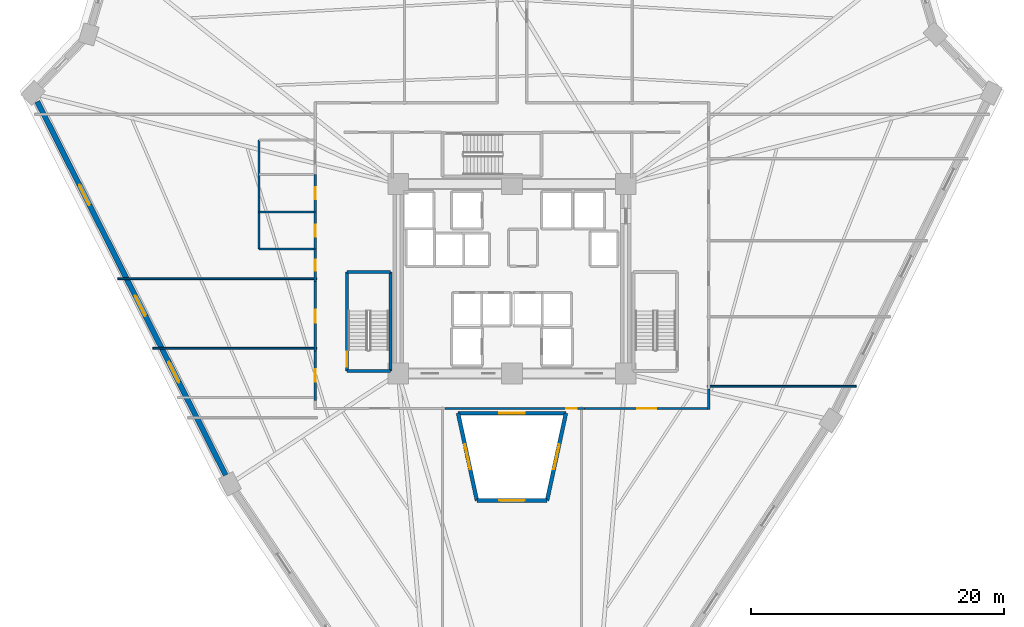
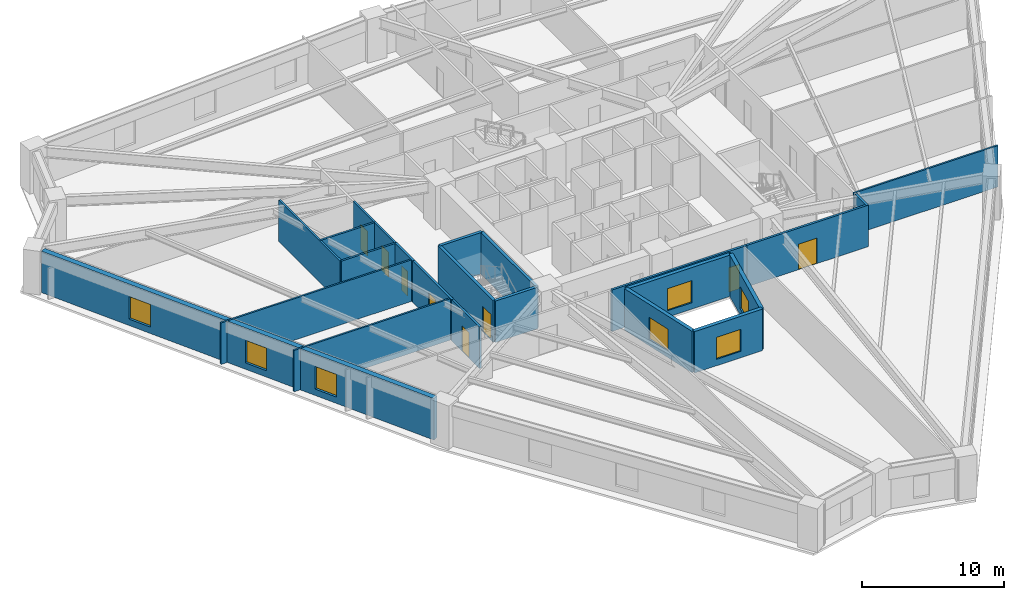
# One storey, part 3 of 8: 23 walls, 8 doors, 7 windows, 15 openings.
"""IFC4 building model written with IfcOpenShell, lengths in metres."""

from ifc_helpers import new_model, si_unit, direction, frame, frame_2d, origin, place, context, subcontext, project, spatial, rectangle, extrude, source, transform, mapped, material, layer, layer_set, type_object, element, fill, save


model = new_model("IFC4")

# Units and contexts
model_context = context("Model", 3, precision=1e-05, world=origin(), true_north=direction((0.0, 1.0)))
body_context = subcontext(model_context, "Body", "Model", "MODEL_VIEW")
ifc_project = project(units=[si_unit("LENGTHUNIT", "METRE"), si_unit("AREAUNIT", "SQUARE_METRE"), si_unit("VOLUMEUNIT", "CUBIC_METRE"), si_unit("PLANEANGLEUNIT", "RADIAN"), si_unit("MASSUNIT", "GRAM", prefix="KILO")], contexts=[model_context])

# Site, building, storey
site_placement = place(None, origin())
site = spatial("IfcSite", under=ifc_project, at=site_placement, CompositionType="ELEMENT")
building_placement = place(site_placement, origin())
building = spatial("IfcBuilding", under=site, at=building_placement, Name="Liaohun Quay Tower", CompositionType="ELEMENT")
storey_placement = place(building_placement, frame((0.0, 0.0, 81.75)))
storey = spatial("IfcBuildingStorey", under=building, at=storey_placement, Name="L21", CompositionType="ELEMENT", Elevation=81.75)

# Wall, opening, window
ifc_material_1 = material(Name="Concrete C50", Category="concrete")
ifc_layer_1 = layer(ifc_material_1, 0.300048828125, Name="Concrete C50", Category="concrete")
ifc_layer_set_1 = layer_set([ifc_layer_1], Name="Concrete C50")
wall_type_1 = type_object("IfcWallType", Name="WAL-ATR-300", PredefinedType="SOLIDWALL", material=ifc_layer_set_1)
wall_1_placement = place(storey_placement, frame((57.22607421875, 36.4609375, 0.0), z_axis=(0.0, 0.0, 1.0), x_axis=(-0.211368462484, 0.977406452336, 0.0)))
wall_1 = element("IfcWall", 1, at=wall_1_placement, inside=storey, type_object=wall_type_1, Name="L21 Atrium Fire Compartment Wall 1", PredefinedType="SOLIDWALL", context=body_context, shape_type="SweptSolid", body=[
    extrude(rectangle(XDim=7.06884765625, YDim=0.300048828125, at=frame_2d((3.534423828125, 0.0))), origin(), (0.0, 0.0, 1.0), 3.570068359375),
])
shared_shape_1 = source(origin(), body_context, "Body", "SweptSolid", [
    extrude(rectangle(XDim=2.0, YDim=1.89990234375, at=frame_2d((1.0, 0.949951171875))), frame((0.0, 0.159912109375, 0.0), z_axis=(0.0, -1.0, 0.0), x_axis=(1.0, 0.0, 0.0)), (0.0, 0.0, 1.0), 0.320068359375),
])
opening_1_placement = place(wall_1_placement, frame((2.533935546875, 0.0, 0.550048828125)))
opening_1 = element("IfcOpeningElement", 2, at=opening_1_placement, cuts=wall_1, Name="Opening W07", PredefinedType="OPENING", context=body_context, shape_type="MappedRepresentation", body=[
    mapped(shared_shape_1, transform((0.0, 0.0, 0.0), x_axis=(1.0, 0.0, 0.0), y_axis=(0.0, 1.0, 0.0), z_axis=(0.0, 0.0, 1.0), scale=1.0)),
])
ifc_material_2 = material(Name="Class A 180-min fire-resistant insulated glazing", Category="glass")
window_type_1 = type_object("IfcWindowType", Name="WIN-ATR-FIR", PartitioningType="DOUBLE_PANEL_VERTICAL", PredefinedType="WINDOW", material=ifc_material_2)
shared_shape_2 = source(origin(), body_context, "Body", "SweptSolid", [
    extrude(rectangle(XDim=2.0, YDim=1.89990234375, at=frame_2d((1.0, 0.949951171875))), frame((0.0, 0.030029296875, 0.0), z_axis=(0.0, -1.0, 0.0), x_axis=(1.0, 0.0, 0.0)), (0.0, 0.0, 1.0), 0.06005859375),
])
window_1_placement = place(opening_1_placement, origin())
window_1 = element("IfcWindow", 3, at=window_1_placement, inside=storey, type_object=window_type_1, Name="L21 Atrium Fire-Resistant Glazing W07-1", OverallHeight=1.89990234375, OverallWidth=2.0, PartitioningType="DOUBLE_PANEL_VERTICAL", PredefinedType="WINDOW", context=body_context, shape_type="MappedRepresentation", body=[
    mapped(shared_shape_2, transform((0.0, 0.0, 0.0), x_axis=(1.0, 0.0, 0.0), y_axis=(0.0, 1.0, 0.0), z_axis=(0.0, 0.0, 1.0), scale=1.0)),
])
fill(opening_1, window_1)

wall_2_placement = place(storey_placement, frame((55.73193359375, 43.3701171875, 0.0), z_axis=(0.0, 0.0, 1.0), x_axis=(1.0, 0.0, 0.0)))
wall_2 = element("IfcWall", 4, at=wall_2_placement, inside=storey, type_object=wall_type_1, Name="L21 Atrium Fire Compartment Wall 2", PredefinedType="SOLIDWALL", context=body_context, shape_type="SweptSolid", body=[
    extrude(rectangle(XDim=8.5361328125, YDim=0.300048828125, at=frame_2d((4.26806640625, 0.0))), origin(), (0.0, 0.0, 1.0), 3.570068359375),
])
opening_2_placement = place(wall_2_placement, frame((3.26806640625, 0.0, 0.550048828125)))
opening_2 = element("IfcOpeningElement", 5, at=opening_2_placement, cuts=wall_2, Name="Opening W07", PredefinedType="OPENING", context=body_context, shape_type="MappedRepresentation", body=[
    mapped(shared_shape_1, transform((0.0, 0.0, 0.0), x_axis=(1.0, 0.0, 0.0), y_axis=(0.0, 1.0, 0.0), z_axis=(0.0, 0.0, 1.0), scale=1.0)),
])
window_2_placement = place(opening_2_placement, origin())
window_2 = element("IfcWindow", 6, at=window_2_placement, inside=storey, type_object=window_type_1, Name="L21 Atrium Fire-Resistant Glazing W07-2", OverallHeight=1.89990234375, OverallWidth=2.0, PartitioningType="DOUBLE_PANEL_VERTICAL", PredefinedType="WINDOW", context=body_context, shape_type="MappedRepresentation", body=[
    mapped(shared_shape_2, transform((0.0, 0.0, 0.0), x_axis=(1.0, 0.0, 0.0), y_axis=(0.0, 1.0, 0.0), z_axis=(0.0, 0.0, 1.0), scale=1.0)),
])
fill(opening_2, window_2)

wall_3_placement = place(storey_placement, frame((64.26806640625, 43.3701171875, 0.0), z_axis=(0.0, 0.0, 1.0), x_axis=(-0.211368462484, -0.977406452336, 0.0)))
wall_3 = element("IfcWall", 7, at=wall_3_placement, inside=storey, type_object=wall_type_1, Name="L21 Atrium Fire Compartment Wall 3", PredefinedType="SOLIDWALL", context=body_context, shape_type="SweptSolid", body=[
    extrude(rectangle(XDim=7.06884765625, YDim=0.300048828125, at=frame_2d((3.534423828125, 0.0))), origin(), (0.0, 0.0, 1.0), 3.570068359375),
])
opening_3_placement = place(wall_3_placement, frame((2.533935546875, 0.0, 0.550048828125)))
opening_3 = element("IfcOpeningElement", 8, at=opening_3_placement, cuts=wall_3, Name="Opening W07", PredefinedType="OPENING", context=body_context, shape_type="MappedRepresentation", body=[
    mapped(shared_shape_1, transform((0.0, 0.0, 0.0), x_axis=(1.0, 0.0, 0.0), y_axis=(0.0, 1.0, 0.0), z_axis=(0.0, 0.0, 1.0), scale=1.0)),
])
window_3_placement = place(opening_3_placement, origin())
window_3 = element("IfcWindow", 9, at=window_3_placement, inside=storey, type_object=window_type_1, Name="L21 Atrium Fire-Resistant Glazing W07-3", OverallHeight=1.89990234375, OverallWidth=2.0, PartitioningType="DOUBLE_PANEL_VERTICAL", PredefinedType="WINDOW", context=body_context, shape_type="MappedRepresentation", body=[
    mapped(shared_shape_2, transform((0.0, 0.0, 0.0), x_axis=(1.0, 0.0, 0.0), y_axis=(0.0, 1.0, 0.0), z_axis=(0.0, 0.0, 1.0), scale=1.0)),
])
fill(opening_3, window_3)

wall_4_placement = place(storey_placement, frame((62.77392578125, 36.4609375, 0.0), z_axis=(0.0, 0.0, 1.0), x_axis=(-1.0, 0.0, 0.0)))
wall_4 = element("IfcWall", 10, at=wall_4_placement, inside=storey, type_object=wall_type_1, Name="L21 Atrium Fire Compartment Wall 4", PredefinedType="SOLIDWALL", context=body_context, shape_type="SweptSolid", body=[
    extrude(rectangle(XDim=5.5478515625, YDim=0.300048828125, at=frame_2d((2.77392578125, 0.0))), origin(), (0.0, 0.0, 1.0), 3.570068359375),
])
opening_4_placement = place(wall_4_placement, frame((1.77392578125, 0.0, 0.550048828125)))
opening_4 = element("IfcOpeningElement", 11, at=opening_4_placement, cuts=wall_4, Name="Opening W07", PredefinedType="OPENING", context=body_context, shape_type="MappedRepresentation", body=[
    mapped(shared_shape_1, transform((0.0, 0.0, 0.0), x_axis=(1.0, 0.0, 0.0), y_axis=(0.0, 1.0, 0.0), z_axis=(0.0, 0.0, 1.0), scale=1.0)),
])
window_4_placement = place(opening_4_placement, origin())
window_4 = element("IfcWindow", 12, at=window_4_placement, inside=storey, type_object=window_type_1, Name="L21 Atrium Fire-Resistant Glazing W07-4", OverallHeight=1.89990234375, OverallWidth=2.0, PartitioningType="DOUBLE_PANEL_VERTICAL", PredefinedType="WINDOW", context=body_context, shape_type="MappedRepresentation", body=[
    mapped(shared_shape_2, transform((0.0, 0.0, 0.0), x_axis=(1.0, 0.0, 0.0), y_axis=(0.0, 1.0, 0.0), z_axis=(0.0, 0.0, 1.0), scale=1.0)),
])
fill(opening_4, window_4)

# Wall, openings, windows
ifc_material_3 = material(Name="Precast concrete C50 insulated sandwich", Category="concrete")
ifc_layer_2 = layer(ifc_material_3, 0.419921875, Name="Precast concrete C50 insulated sandwich", Category="concrete")
ifc_layer_set_2 = layer_set([ifc_layer_2], Name="Precast concrete C50 insulated sandwich")
wall_type_2 = type_object("IfcWallType", Name="WAL-EXT-Z12", PredefinedType="SOLIDWALL", material=ifc_layer_set_2)
wall_5_placement = place(storey_placement, frame((22.4619140625, 68.010009765625, 0.0), z_axis=(0.0, 0.0, 1.0), x_axis=(0.450259201953, -0.89289789509, 0.0)))
wall_5 = element("IfcWall", 13, at=wall_5_placement, inside=storey, type_object=wall_type_2, Name="L21 Brutalist Precast Pier Wall 10", PredefinedType="SOLIDWALL", context=body_context, shape_type="SweptSolid", body=[
    extrude(rectangle(XDim=33.094482421875, YDim=0.419921875, at=frame_2d((16.54736328125, 0.0))), origin(), (0.0, 0.0, 1.0), 3.570068359375),
])
shared_shape_3 = source(origin(), body_context, "Body", "SweptSolid", [
    extrude(rectangle(XDim=1.800048828125, YDim=1.949951171875, at=frame_2d((0.89990234375, 0.97509765625))), frame((0.0, 0.219970703125, 0.0), z_axis=(0.0, -1.0, 0.0), x_axis=(1.0, 0.0, 0.0)), (0.0, 0.0, 1.0), 0.43994140625),
])
opening_5_placement = place(wall_5_placement, frame((7.3740234375, 0.0, 0.550048828125)))
opening_5 = element("IfcOpeningElement", 14, at=opening_5_placement, cuts=wall_5, Name="Opening W01", PredefinedType="OPENING", context=body_context, shape_type="MappedRepresentation", body=[
    mapped(shared_shape_3, transform((0.0, 0.0, 0.0), x_axis=(1.0, 0.0, 0.0), y_axis=(0.0, 1.0, 0.0), z_axis=(0.0, 0.0, 1.0), scale=1.0)),
])
opening_6_placement = place(wall_5_placement, frame((17.197021484375, 0.0, 0.550048828125)))
opening_6 = element("IfcOpeningElement", 15, at=opening_6_placement, cuts=wall_5, Name="Opening W01", PredefinedType="OPENING", context=body_context, shape_type="MappedRepresentation", body=[
    mapped(shared_shape_3, transform((0.0, 0.0, 0.0), x_axis=(1.0, 0.0, 0.0), y_axis=(0.0, 1.0, 0.0), z_axis=(0.0, 0.0, 1.0), scale=1.0)),
])
opening_7_placement = place(wall_5_placement, frame((23.071044921875, 0.0, 0.550048828125)))
opening_7 = element("IfcOpeningElement", 16, at=opening_7_placement, cuts=wall_5, Name="Opening W01", PredefinedType="OPENING", context=body_context, shape_type="MappedRepresentation", body=[
    mapped(shared_shape_3, transform((0.0, 0.0, 0.0), x_axis=(1.0, 0.0, 0.0), y_axis=(0.0, 1.0, 0.0), z_axis=(0.0, 0.0, 1.0), scale=1.0)),
])
ifc_material_4 = material(Name="Triple Low-E argon glazing in thermally broken aluminium", Category="aluminium")
window_type_2 = type_object("IfcWindowType", Name="WIN-PUN-Z1", PartitioningType="DOUBLE_PANEL_VERTICAL", PredefinedType="WINDOW", material=ifc_material_4)
shared_shape_4 = source(origin(), body_context, "Body", "SweptSolid", [
    extrude(rectangle(XDim=1.800048828125, YDim=1.949951171875, at=frame_2d((0.89990234375, 0.97509765625))), frame((0.0, 0.030029296875, 0.0), z_axis=(0.0, -1.0, 0.0), x_axis=(1.0, 0.0, 0.0)), (0.0, 0.0, 1.0), 0.06005859375),
])
window_5_placement = place(opening_5_placement, origin())
window_5 = element("IfcWindow", 17, at=window_5_placement, inside=storey, type_object=window_type_2, Name="L21 Recessed Cold-Climate Punched Window 10-1", OverallHeight=1.949951171875, OverallWidth=1.800048828125, PartitioningType="DOUBLE_PANEL_VERTICAL", PredefinedType="WINDOW", context=body_context, shape_type="MappedRepresentation", body=[
    mapped(shared_shape_4, transform((0.0, 0.0, 0.0), x_axis=(1.0, 0.0, 0.0), y_axis=(0.0, 1.0, 0.0), z_axis=(0.0, 0.0, 1.0), scale=1.0)),
])
fill(opening_5, window_5)
window_6_placement = place(opening_6_placement, origin())
window_6 = element("IfcWindow", 18, at=window_6_placement, inside=storey, type_object=window_type_2, Name="L21 Recessed Cold-Climate Punched Window 10-2", OverallHeight=1.949951171875, OverallWidth=1.800048828125, PartitioningType="DOUBLE_PANEL_VERTICAL", PredefinedType="WINDOW", context=body_context, shape_type="MappedRepresentation", body=[
    mapped(shared_shape_4, transform((0.0, 0.0, 0.0), x_axis=(1.0, 0.0, 0.0), y_axis=(0.0, 1.0, 0.0), z_axis=(0.0, 0.0, 1.0), scale=1.0)),
])
fill(opening_6, window_6)
window_7_placement = place(opening_7_placement, origin())
window_7 = element("IfcWindow", 19, at=window_7_placement, inside=storey, type_object=window_type_2, Name="L21 Recessed Cold-Climate Punched Window 10-3", OverallHeight=1.949951171875, OverallWidth=1.800048828125, PartitioningType="DOUBLE_PANEL_VERTICAL", PredefinedType="WINDOW", context=body_context, shape_type="MappedRepresentation", body=[
    mapped(shared_shape_4, transform((0.0, 0.0, 0.0), x_axis=(1.0, 0.0, 0.0), y_axis=(0.0, 1.0, 0.0), z_axis=(0.0, 0.0, 1.0), scale=1.0)),
])
fill(opening_7, window_7)

# Wall, opening, door
ifc_material_5 = material(Name="Autoclaved aerated concrete blockwork", Category="masonry")
ifc_layer_3 = layer(ifc_material_5, 0.179931640625, Name="Autoclaved aerated concrete blockwork", Category="masonry")
ifc_layer_set_3 = layer_set([ifc_layer_3], Name="Autoclaved aerated concrete blockwork")
wall_type_3 = type_object("IfcWallType", Name="WAL-PRT-COR", PredefinedType="PARTITIONING", material=ifc_layer_set_3)
wall_6_placement = place(storey_placement, frame((44.43994140625, 53.784912109375, 0.0), z_axis=(0.0, 0.0, 1.0), x_axis=(0.0, 1.0, 0.0)))
wall_6 = element("IfcWall", 20, at=wall_6_placement, inside=storey, type_object=wall_type_3, Name="L21 Interior Partition Wall 016", PredefinedType="PARTITIONING", context=body_context, shape_type="SweptSolid", body=[
    extrude(rectangle(XDim=2.55517578125, YDim=0.179931640625, at=frame_2d((1.277587890625, 0.0))), origin(), (0.0, 0.0, 1.0), 3.570068359375),
])
shared_shape_5 = source(origin(), body_context, "Body", "SweptSolid", [
    extrude(rectangle(XDim=0.85009765625, YDim=2.10009765625, at=frame_2d((0.425048828125, 1.050048828125))), frame((0.0, 0.099853515625, 0.0), z_axis=(0.0, -1.0, 0.0), x_axis=(1.0, 0.0, 0.0)), (0.0, 0.0, 1.0), 0.199951171875),
])
opening_8_placement = place(wall_6_placement, frame((0.85302734375, 0.0, 0.0)))
opening_8 = element("IfcOpeningElement", 21, at=opening_8_placement, cuts=wall_6, Name="Opening AD1", PredefinedType="OPENING", context=body_context, shape_type="MappedRepresentation", body=[
    mapped(shared_shape_5, transform((0.0, 0.0, 0.0), x_axis=(1.0, 0.0, 0.0), y_axis=(0.0, 1.0, 0.0), z_axis=(0.0, 0.0, 1.0), scale=1.0)),
])
ifc_material_6 = material(Name="Steel riser inspection fire door", Category="steel")
door_type_1 = type_object("IfcDoorType", Name="DOR-SHF-850", OperationType="NOTDEFINED", PredefinedType="DOOR", material=ifc_material_6)
shared_shape_6 = source(origin(), body_context, "Body", "SweptSolid", [
    extrude(rectangle(XDim=0.85009765625, YDim=2.10009765625, at=frame_2d((0.425048828125, 1.050048828125))), frame((0.0, 0.02490234375, 0.0), z_axis=(0.0, -1.0, 0.0), x_axis=(1.0, 0.0, 0.0)), (0.0, 0.0, 1.0), 0.050048828125),
])
door_1_placement = place(opening_8_placement, origin())
door_1 = element("IfcDoor", 22, at=door_1_placement, inside=storey, type_object=door_type_1, Name="L21 Occupational Wellness Clinic 08 Door", OperationType="SINGLE_SWING_RIGHT", OverallHeight=2.10009765625, OverallWidth=0.85009765625, PredefinedType="DOOR", context=body_context, shape_type="MappedRepresentation", body=[
    mapped(shared_shape_6, transform((0.0, 0.0, 0.0), x_axis=(1.0, 0.0, 0.0), y_axis=(0.0, 1.0, 0.0), z_axis=(0.0, 0.0, 1.0), scale=1.0)),
])
fill(opening_8, door_1)

wall_7_placement = place(storey_placement, frame((44.43994140625, 48.284912109375, 0.0), z_axis=(0.0, 0.0, 1.0), x_axis=(0.0, 1.0, 0.0)))
wall_7 = element("IfcWall", 23, at=wall_7_placement, inside=storey, type_object=wall_type_3, Name="L21 Interior Partition Wall 017", PredefinedType="PARTITIONING", context=body_context, shape_type="SweptSolid", body=[
    extrude(rectangle(XDim=5.5, YDim=0.179931640625, at=frame_2d((2.75, 0.0))), origin(), (0.0, 0.0, 1.0), 3.570068359375),
])
shared_shape_7 = source(origin(), body_context, "Body", "SweptSolid", [
    extrude(rectangle(XDim=1.0, YDim=2.199951171875, at=frame_2d((0.5, 1.10009765625))), frame((0.0, 0.099853515625, 0.0), z_axis=(0.0, -1.0, 0.0), x_axis=(1.0, 0.0, 0.0)), (0.0, 0.0, 1.0), 0.199951171875),
])
opening_9_placement = place(wall_7_placement, frame((2.25, 0.0, 0.0)))
opening_9 = element("IfcOpeningElement", 24, at=opening_9_placement, cuts=wall_7, Name="Opening OD1", PredefinedType="OPENING", context=body_context, shape_type="MappedRepresentation", body=[
    mapped(shared_shape_7, transform((0.0, 0.0, 0.0), x_axis=(1.0, 0.0, 0.0), y_axis=(0.0, 1.0, 0.0), z_axis=(0.0, 0.0, 1.0), scale=1.0)),
])
ifc_material_7 = material(Name="Solid-core oak veneer timber leaf in steel frame", Category="steel")
door_type_2 = type_object("IfcDoorType", Name="DOR-OFF-1000", OperationType="NOTDEFINED", PredefinedType="DOOR", material=ifc_material_7)
shared_shape_8 = source(origin(), body_context, "Body", "SweptSolid", [
    extrude(rectangle(XDim=1.0, YDim=2.199951171875, at=frame_2d((0.5, 1.10009765625))), frame((0.0, 0.02490234375, 0.0), z_axis=(0.0, -1.0, 0.0), x_axis=(1.0, 0.0, 0.0)), (0.0, 0.0, 1.0), 0.050048828125),
])
door_2_placement = place(opening_9_placement, origin())
door_2 = element("IfcDoor", 25, at=door_2_placement, inside=storey, type_object=door_type_2, Name="L21 Records Archive Store 09 Door", OperationType="SINGLE_SWING_LEFT", OverallHeight=2.199951171875, OverallWidth=1.0, PredefinedType="DOOR", context=body_context, shape_type="MappedRepresentation", body=[
    mapped(shared_shape_8, transform((0.0, 0.0, 0.0), x_axis=(1.0, 0.0, 0.0), y_axis=(0.0, 1.0, 0.0), z_axis=(0.0, 0.0, 1.0), scale=1.0)),
])
fill(opening_9, door_2)

wall_8_placement = place(storey_placement, frame((44.43994140625, 44.385009765625, 0.0), z_axis=(0.0, 0.0, 1.0), x_axis=(0.0, 1.0, 0.0)))
wall_8 = element("IfcWall", 26, at=wall_8_placement, inside=storey, type_object=wall_type_3, Name="L21 Interior Partition Wall 018", PredefinedType="PARTITIONING", context=body_context, shape_type="SweptSolid", body=[
    extrude(rectangle(XDim=3.89990234375, YDim=0.179931640625, at=frame_2d((1.949951171875, 0.0))), origin(), (0.0, 0.0, 1.0), 3.570068359375),
])
opening_10_placement = place(wall_8_placement, frame((1.449951171875, 0.0, 0.0)))
opening_10 = element("IfcOpeningElement", 27, at=opening_10_placement, cuts=wall_8, Name="Opening OD1", PredefinedType="OPENING", context=body_context, shape_type="MappedRepresentation", body=[
    mapped(shared_shape_7, transform((0.0, 0.0, 0.0), x_axis=(1.0, 0.0, 0.0), y_axis=(0.0, 1.0, 0.0), z_axis=(0.0, 0.0, 1.0), scale=1.0)),
])
door_3_placement = place(opening_10_placement, origin())
door_3 = element("IfcDoor", 28, at=door_3_placement, inside=storey, type_object=door_type_2, Name="L21 Open-Plan Office Workplace 10 Door", OperationType="SINGLE_SWING_RIGHT", OverallHeight=2.199951171875, OverallWidth=1.0, PredefinedType="DOOR", context=body_context, shape_type="MappedRepresentation", body=[
    mapped(shared_shape_8, transform((0.0, 0.0, 0.0), x_axis=(1.0, 0.0, 0.0), y_axis=(0.0, 1.0, 0.0), z_axis=(0.0, 0.0, 1.0), scale=1.0)),
])
fill(opening_10, door_3)

wall_9_placement = place(storey_placement, frame((65.715087890625, 43.739990234375, 0.0), z_axis=(0.0, 0.0, 1.0), x_axis=(-1.0, 0.0, 0.0)))
wall_9 = element("IfcWall", 29, at=wall_9_placement, inside=storey, type_object=wall_type_3, Name="L21 Interior Partition Wall 020", PredefinedType="PARTITIONING", context=body_context, shape_type="SweptSolid", body=[
    extrude(rectangle(XDim=11.0, YDim=0.179931640625, at=frame_2d((5.5, 0.0))), origin(), (0.0, 0.0, 1.0), 3.570068359375),
])
opening_11_placement = place(wall_9_placement, frame((0.574951171875, 0.0, 0.0)))
opening_11 = element("IfcOpeningElement", 30, at=opening_11_placement, cuts=wall_9, Name="Opening AD1", PredefinedType="OPENING", context=body_context, shape_type="MappedRepresentation", body=[
    mapped(shared_shape_5, transform((0.0, 0.0, 0.0), x_axis=(1.0, 0.0, 0.0), y_axis=(0.0, 1.0, 0.0), z_axis=(0.0, 0.0, 1.0), scale=1.0)),
])
door_4_placement = place(opening_11_placement, origin())
door_4 = element("IfcDoor", 31, at=door_4_placement, inside=storey, type_object=door_type_1, Name="L21 Client Reception Office 12 Door", OperationType="SINGLE_SWING_RIGHT", OverallHeight=2.10009765625, OverallWidth=0.85009765625, PredefinedType="DOOR", context=body_context, shape_type="MappedRepresentation", body=[
    mapped(shared_shape_6, transform((0.0, 0.0, 0.0), x_axis=(1.0, 0.0, 0.0), y_axis=(0.0, 1.0, 0.0), z_axis=(0.0, 0.0, 1.0), scale=1.0)),
])
fill(opening_11, door_4)

wall_10_placement = place(storey_placement, frame((75.6298828125, 43.739990234375, 0.0), z_axis=(0.0, 0.0, 1.0), x_axis=(-1.0, 0.0, 0.0)))
wall_10 = element("IfcWall", 32, at=wall_10_placement, inside=storey, type_object=wall_type_3, Name="L21 Interior Partition Wall 021", PredefinedType="PARTITIONING", context=body_context, shape_type="SweptSolid", body=[
    extrude(rectangle(XDim=9.914794921875, YDim=0.179931640625, at=frame_2d((4.95751953125, 0.0))), origin(), (0.0, 0.0, 1.0), 3.570068359375),
])
shared_shape_9 = source(origin(), body_context, "Body", "SweptSolid", [
    extrude(rectangle(XDim=1.5, YDim=2.199951171875, at=frame_2d((0.75, 1.10009765625))), frame((0.0, 0.099853515625, 0.0), z_axis=(0.0, -1.0, 0.0), x_axis=(1.0, 0.0, 0.0)), (0.0, 0.0, 1.0), 0.199951171875),
])
opening_12_placement = place(wall_10_placement, frame((4.20703125, 0.0, 0.0)))
opening_12 = element("IfcOpeningElement", 33, at=opening_12_placement, cuts=wall_10, Name="Opening OD2", PredefinedType="OPENING", context=body_context, shape_type="MappedRepresentation", body=[
    mapped(shared_shape_9, transform((0.0, 0.0, 0.0), x_axis=(1.0, 0.0, 0.0), y_axis=(0.0, 1.0, 0.0), z_axis=(0.0, 0.0, 1.0), scale=1.0)),
])
ifc_material_8 = material(Name="Acoustic oak veneer double door")
door_type_3 = type_object("IfcDoorType", Name="DOR-OFF-1500", OperationType="DOUBLE_DOOR_SINGLE_SWING", PredefinedType="DOOR", material=ifc_material_8)
shared_shape_10 = source(origin(), body_context, "Body", "SweptSolid", [
    extrude(rectangle(XDim=1.5, YDim=2.199951171875, at=frame_2d((0.75, 1.10009765625))), frame((0.0, 0.02490234375, 0.0), z_axis=(0.0, -1.0, 0.0), x_axis=(1.0, 0.0, 0.0)), (0.0, 0.0, 1.0), 0.050048828125),
])
door_5_placement = place(opening_12_placement, origin())
door_5 = element("IfcDoor", 34, at=door_5_placement, inside=storey, type_object=door_type_3, Name="L21 Regional Advisory Office 13 Door", OperationType="DOUBLE_DOOR_SINGLE_SWING", OverallHeight=2.199951171875, OverallWidth=1.5, PredefinedType="DOOR", context=body_context, shape_type="MappedRepresentation", body=[
    mapped(shared_shape_10, transform((0.0, 0.0, 0.0), x_axis=(1.0, 0.0, 0.0), y_axis=(0.0, 1.0, 0.0), z_axis=(0.0, 0.0, 1.0), scale=1.0)),
])
fill(opening_12, door_5)

# Walls
wall_11_placement = place(storey_placement, frame((75.56005859375, 45.284912109375, 0.0), z_axis=(0.0, 0.0, 1.0), x_axis=(0.0, -1.0, 0.0)))
element("IfcWall", 35, at=wall_11_placement, inside=storey, type_object=wall_type_3, Name="L21 Interior Partition Wall 039", PredefinedType="PARTITIONING", context=body_context, shape_type="SweptSolid", body=[
    extrude(rectangle(XDim=1.614990234375, YDim=0.179931640625, at=frame_2d((0.8076171875, 0.0))), origin(), (0.0, 0.0, 1.0), 3.570068359375),
])
ifc_material_9 = material(Name="Gypsum board on twin steel studs", Category="steel")
ifc_layer_4 = layer(ifc_material_9, 0.139892578125, Name="Gypsum board on twin steel studs", Category="steel")
ifc_layer_set_4 = layer_set([ifc_layer_4], Name="Gypsum board on twin steel studs")
wall_type_4 = type_object("IfcWallType", Name="WAL-PRT-OFF", PredefinedType="PARTITIONING", material=ifc_layer_set_4)
wall_12_placement = place(storey_placement, frame((44.5400390625, 48.5, 0.0), z_axis=(0.0, 0.0, 1.0), x_axis=(-1.0, 0.0, 0.0)))
element("IfcWall", 36, at=wall_12_placement, inside=storey, type_object=wall_type_4, Name="L21 Interior Partition Wall 042", PredefinedType="PARTITIONING", context=body_context, shape_type="SweptSolid", body=[
    extrude(rectangle(XDim=12.946044921875, YDim=0.139892578125, at=frame_2d((6.47314453125, 0.0))), origin(), (0.0, 0.0, 1.0), 3.570068359375),
])
wall_13_placement = place(storey_placement, frame((44.5400390625, 54.0, 0.0), z_axis=(0.0, 0.0, 1.0), x_axis=(-1.0, 0.0, 0.0)))
element("IfcWall", 37, at=wall_13_placement, inside=storey, type_object=wall_type_4, Name="L21 Interior Partition Wall 043", PredefinedType="PARTITIONING", context=body_context, shape_type="SweptSolid", body=[
    extrude(rectangle(XDim=15.718994140625, YDim=0.139892578125, at=frame_2d((7.859375, 0.0))), origin(), (0.0, 0.0, 1.0), 3.570068359375),
])
wall_14_placement = place(storey_placement, frame((75.4599609375, 45.5, 0.0), z_axis=(0.0, 0.0, 1.0), x_axis=(1.0, 0.0, 0.0)))
element("IfcWall", 38, at=wall_14_placement, inside=storey, type_object=wall_type_4, Name="L21 Interior Partition Wall 045", PredefinedType="PARTITIONING", context=body_context, shape_type="SweptSolid", body=[
    extrude(rectangle(XDim=11.759033203125, YDim=0.139892578125, at=frame_2d((5.87939453125, 0.0))), origin(), (0.0, 0.0, 1.0), 3.570068359375),
])

# Wall, opening, door
ifc_material_10 = material(Name="Moisture-resistant masonry blockwork", Category="masonry")
ifc_layer_5 = layer(ifc_material_10, 0.159912109375, Name="Moisture-resistant masonry blockwork", Category="masonry")
ifc_layer_set_5 = layer_set([ifc_layer_5], Name="Moisture-resistant masonry blockwork")
wall_type_5 = type_object("IfcWallType", Name="WAL-PRT-WET", PredefinedType="PARTITIONING", material=ifc_layer_set_5)
wall_15_placement = place(storey_placement, frame((44.43994140625, 56.340087890625, 0.0), z_axis=(0.0, 0.0, 1.0), x_axis=(0.0, 1.0, 0.0)))
wall_15 = element("IfcWall", 39, at=wall_15_placement, inside=storey, type_object=wall_type_5, Name="L21 Interior Partition Wall 002", PredefinedType="PARTITIONING", context=body_context, shape_type="SweptSolid", body=[
    extrude(rectangle(XDim=2.93994140625, YDim=0.159912109375, at=frame_2d((1.469970703125, 0.0))), origin(), (0.0, 0.0, 1.0), 3.570068359375),
])
shared_shape_11 = source(origin(), body_context, "Body", "SweptSolid", [
    extrude(rectangle(XDim=0.949951171875, YDim=2.14990234375, at=frame_2d((0.47509765625, 1.074951171875))), frame((0.0, 0.08984375, 0.0), z_axis=(0.0, -1.0, 0.0), x_axis=(1.0, 0.0, 0.0)), (0.0, 0.0, 1.0), 0.179931640625),
])
opening_13_placement = place(wall_15_placement, frame((0.9951171875, 0.0, 0.0)))
opening_13 = element("IfcOpeningElement", 40, at=opening_13_placement, cuts=wall_15, Name="Opening WD1", PredefinedType="OPENING", context=body_context, shape_type="MappedRepresentation", body=[
    mapped(shared_shape_11, transform((0.0, 0.0, 0.0), x_axis=(1.0, 0.0, 0.0), y_axis=(0.0, 1.0, 0.0), z_axis=(0.0, 0.0, 1.0), scale=1.0)),
])
ifc_material_11 = material(Name="Moisture-resistant laminate timber leaf", Category="wood")
door_type_4 = type_object("IfcDoorType", Name="DOR-WC-950", OperationType="NOTDEFINED", PredefinedType="DOOR", material=ifc_material_11)
shared_shape_12 = source(origin(), body_context, "Body", "SweptSolid", [
    extrude(rectangle(XDim=0.949951171875, YDim=2.14990234375, at=frame_2d((0.47509765625, 1.074951171875))), frame((0.0, 0.02490234375, 0.0), z_axis=(0.0, -1.0, 0.0), x_axis=(1.0, 0.0, 0.0)), (0.0, 0.0, 1.0), 0.050048828125),
])
door_6_placement = place(opening_13_placement, origin())
door_6 = element("IfcDoor", 41, at=door_6_placement, inside=storey, type_object=door_type_4, Name="L21 Male Restroom WC Door", OperationType="SINGLE_SWING_RIGHT", OverallHeight=2.14990234375, OverallWidth=0.949951171875, PredefinedType="DOOR", context=body_context, shape_type="MappedRepresentation", body=[
    mapped(shared_shape_12, transform((0.0, 0.0, 0.0), x_axis=(1.0, 0.0, 0.0), y_axis=(0.0, 1.0, 0.0), z_axis=(0.0, 0.0, 1.0), scale=1.0)),
])
fill(opening_13, door_6)

wall_16_placement = place(storey_placement, frame((44.43994140625, 59.280029296875, 0.0), z_axis=(0.0, 0.0, 1.0), x_axis=(0.0, 1.0, 0.0)))
wall_16 = element("IfcWall", 42, at=wall_16_placement, inside=storey, type_object=wall_type_5, Name="L21 Interior Partition Wall 003", PredefinedType="PARTITIONING", context=body_context, shape_type="SweptSolid", body=[
    extrude(rectangle(XDim=2.9599609375, YDim=0.159912109375, at=frame_2d((1.47998046875, 0.0))), origin(), (0.0, 0.0, 1.0), 3.570068359375),
])
opening_14_placement = place(wall_16_placement, frame((1.0048828125, 0.0, 0.0)))
opening_14 = element("IfcOpeningElement", 43, at=opening_14_placement, cuts=wall_16, Name="Opening WD1", PredefinedType="OPENING", context=body_context, shape_type="MappedRepresentation", body=[
    mapped(shared_shape_11, transform((0.0, 0.0, 0.0), x_axis=(1.0, 0.0, 0.0), y_axis=(0.0, 1.0, 0.0), z_axis=(0.0, 0.0, 1.0), scale=1.0)),
])
door_7_placement = place(opening_14_placement, origin())
door_7 = element("IfcDoor", 44, at=door_7_placement, inside=storey, type_object=door_type_4, Name="L21 Female Restroom WC Door", OperationType="SINGLE_SWING_LEFT", OverallHeight=2.14990234375, OverallWidth=0.949951171875, PredefinedType="DOOR", context=body_context, shape_type="MappedRepresentation", body=[
    mapped(shared_shape_12, transform((0.0, 0.0, 0.0), x_axis=(1.0, 0.0, 0.0), y_axis=(0.0, 1.0, 0.0), z_axis=(0.0, 0.0, 1.0), scale=1.0)),
])
fill(opening_14, door_7)

# Walls
wall_17_placement = place(storey_placement, frame((39.97998046875, 56.340087890625, 0.0), z_axis=(0.0, 0.0, 1.0), x_axis=(0.0, 1.0, 0.0)))
element("IfcWall", 45, at=wall_17_placement, inside=storey, type_object=wall_type_5, Name="L21 Interior Partition Wall 026", PredefinedType="PARTITIONING", context=body_context, shape_type="SweptSolid", body=[
    extrude(rectangle(XDim=8.639892578125, YDim=0.159912109375, at=frame_2d((4.31982421875, 0.0))), origin(), (0.0, 0.0, 1.0), 3.570068359375),
])
for number, where, z_axis, x_axis, name in (
    (46, (39.97998046875, 56.340087890625, 0.0), (0.0, 0.0, 1.0), (1.0, 0.0, 0.0), "L21 Interior Partition Wall 027"),
    (47, (39.97998046875, 59.280029296875, 0.0), (0.0, 0.0, 1.0), (1.0, 0.0, 0.0), "L21 Interior Partition Wall 028"),
):
    element("IfcWall", number, at=place(storey_placement, frame(where, z_axis=z_axis, x_axis=x_axis)), inside=storey, type_object=wall_type_5, Name=name, PredefinedType="PARTITIONING", context=body_context, shape_type="SweptSolid", body=[
        extrude(rectangle(XDim=4.4599609375, YDim=0.159912109375, at=frame_2d((2.22998046875, 0.0))), origin(), (0.0, 0.0, 1.0), 3.570068359375),
    ])
ifc_layer_6 = layer(ifc_material_1, 0.239990234375, Name="Concrete C50", Category="concrete")
ifc_layer_set_6 = layer_set([ifc_layer_6], Name="Concrete C50")
wall_type_6 = type_object("IfcWallType", Name="WAL-SHF-200", PredefinedType="SOLIDWALL", material=ifc_layer_set_6)
wall_18_placement = place(storey_placement, frame((46.93994140625, 46.699951171875, 0.0), z_axis=(0.0, 0.0, 1.0), x_axis=(1.0, 0.0, 0.0)))
element("IfcWall", 48, at=wall_18_placement, inside=storey, type_object=wall_type_6, Name="L21 Stairwell ST-1 Structural Core Wall S", PredefinedType="SOLIDWALL", context=body_context, shape_type="SweptSolid", body=[
    extrude(rectangle(XDim=3.43994140625, YDim=0.239990234375, at=frame_2d((1.719970703125, 0.0))), origin(), (0.0, 0.0, 1.0), 3.570068359375),
])
wall_19_placement = place(storey_placement, frame((50.3798828125, 46.699951171875, 0.0), z_axis=(0.0, 0.0, 1.0), x_axis=(0.0, 1.0, 0.0)))
element("IfcWall", 49, at=wall_19_placement, inside=storey, type_object=wall_type_6, Name="L21 Stairwell ST-1 Structural Core Wall E", PredefinedType="SOLIDWALL", context=body_context, shape_type="SweptSolid", body=[
    extrude(rectangle(XDim=7.820068359375, YDim=0.239990234375, at=frame_2d((3.91015625, 0.0))), origin(), (0.0, 0.0, 1.0), 3.570068359375),
])
wall_20_placement = place(storey_placement, frame((50.3798828125, 54.52001953125, 0.0), z_axis=(0.0, 0.0, 1.0), x_axis=(-1.0, 0.0, 0.0)))
element("IfcWall", 50, at=wall_20_placement, inside=storey, type_object=wall_type_6, Name="L21 Stairwell ST-1 Structural Core Wall N", PredefinedType="SOLIDWALL", context=body_context, shape_type="SweptSolid", body=[
    extrude(rectangle(XDim=3.43994140625, YDim=0.239990234375, at=frame_2d((1.719970703125, 0.0))), origin(), (0.0, 0.0, 1.0), 3.570068359375),
])

# Wall, opening, door
wall_21_placement = place(storey_placement, frame((46.93994140625, 54.52001953125, 0.0), z_axis=(0.0, 0.0, 1.0), x_axis=(0.0, -1.0, 0.0)))
wall_21 = element("IfcWall", 51, at=wall_21_placement, inside=storey, type_object=wall_type_6, Name="L21 Stairwell ST-1 Structural Core Wall W", PredefinedType="SOLIDWALL", context=body_context, shape_type="SweptSolid", body=[
    extrude(rectangle(XDim=7.820068359375, YDim=0.239990234375, at=frame_2d((3.91015625, 0.0))), origin(), (0.0, 0.0, 1.0), 3.570068359375),
])
shared_shape_13 = source(origin(), body_context, "Body", "SweptSolid", [
    extrude(rectangle(XDim=1.199951171875, YDim=2.199951171875, at=frame_2d((0.60009765625, 1.10009765625))), frame((0.0, 0.1298828125, 0.0), z_axis=(0.0, -1.0, 0.0), x_axis=(1.0, 0.0, 0.0)), (0.0, 0.0, 1.0), 0.260009765625),
])
opening_15_placement = place(wall_21_placement, frame((6.300048828125, 0.0, 0.0)))
opening_15 = element("IfcOpeningElement", 52, at=opening_15_placement, cuts=wall_21, Name="Opening SD1", PredefinedType="OPENING", context=body_context, shape_type="MappedRepresentation", body=[
    mapped(shared_shape_13, transform((0.0, 0.0, 0.0), x_axis=(1.0, 0.0, 0.0), y_axis=(0.0, 1.0, 0.0), z_axis=(0.0, 0.0, 1.0), scale=1.0)),
])
ifc_material_12 = material(Name="Galvanised steel fire door", Category="steel")
door_type_5 = type_object("IfcDoorType", Name="DOR-STR-1200", OperationType="NOTDEFINED", PredefinedType="DOOR", material=ifc_material_12)
shared_shape_14 = source(origin(), body_context, "Body", "SweptSolid", [
    extrude(rectangle(XDim=1.199951171875, YDim=2.199951171875, at=frame_2d((0.60009765625, 1.10009765625))), frame((0.0, 0.02490234375, 0.0), z_axis=(0.0, -1.0, 0.0), x_axis=(1.0, 0.0, 0.0)), (0.0, 0.0, 1.0), 0.050048828125),
])
door_8_placement = place(opening_15_placement, origin())
door_8 = element("IfcDoor", 53, at=door_8_placement, inside=storey, type_object=door_type_5, Name="L21 Protected Stair ST-1 Fire Door", OperationType="SINGLE_SWING_LEFT", OverallHeight=2.199951171875, OverallWidth=1.199951171875, PredefinedType="DOOR", context=body_context, shape_type="MappedRepresentation", body=[
    mapped(shared_shape_14, transform((0.0, 0.0, 0.0), x_axis=(1.0, 0.0, 0.0), y_axis=(0.0, 1.0, 0.0), z_axis=(0.0, 0.0, 1.0), scale=1.0)),
])
fill(opening_15, door_8)

save(model, "model.ifc")
